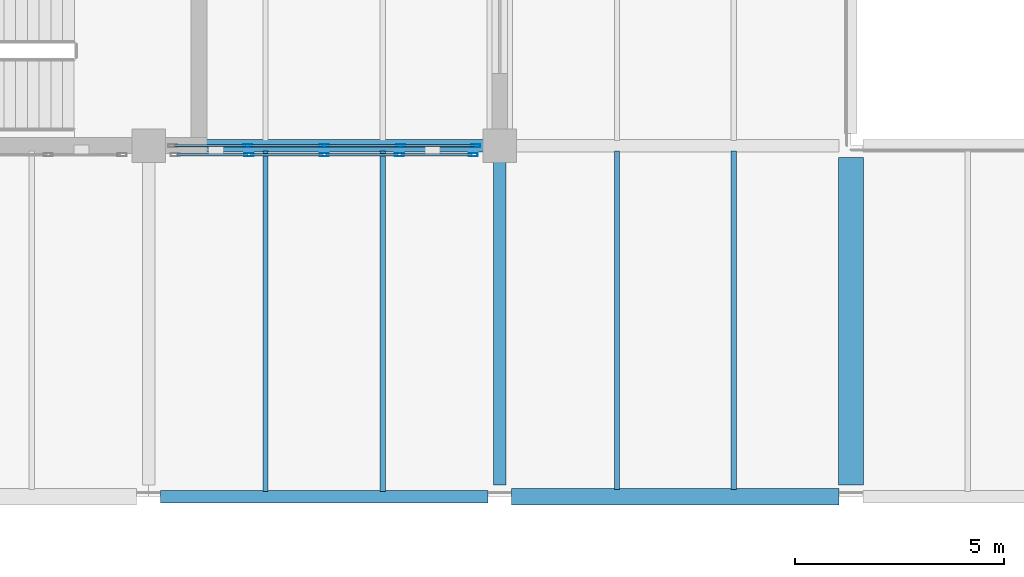
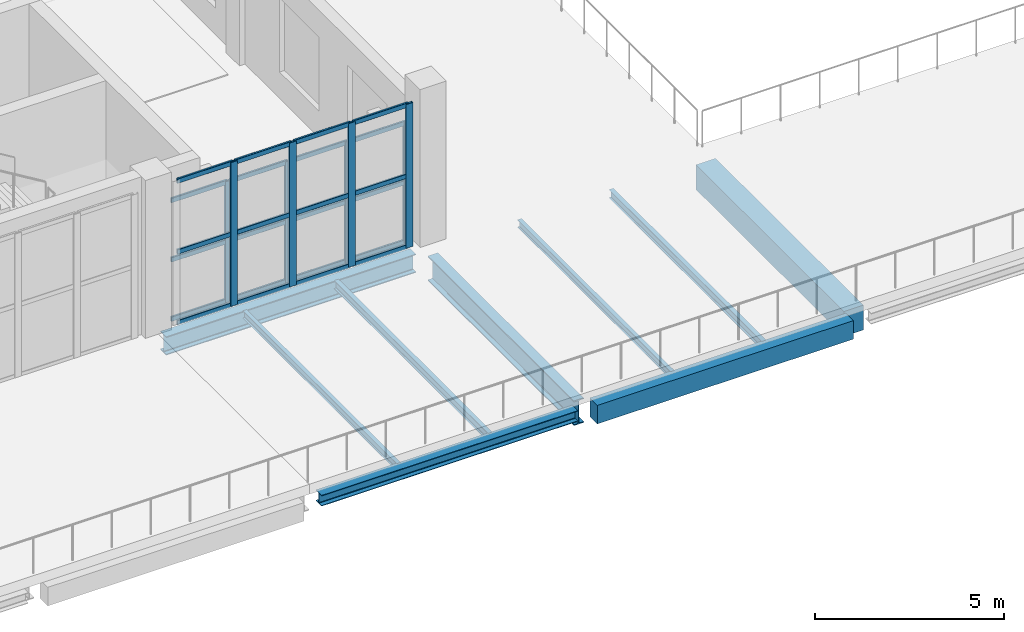
# One storey, part 20 of 77: 32 members, 9 beams, 2 elements without a shape of their own.
"""IFC4 building model written with IfcOpenShell, lengths in metres."""

from ifc_helpers import new_model, si_unit, direction, frame, origin, origin_2d, place, context, subcontext, project, spatial, rectangle, hollow_rectangle, i_section, extrude, material, layer, layer_set, material_profile, profile_set, type_object, element, aggregate, save


model = new_model("IFC4")

# Units and contexts
model_context = context("Model", 3, precision=1e-05, world=origin(), true_north=direction((0.0, 1.0)))
body_context = subcontext(model_context, "Body", "Model", "MODEL_VIEW")
ifc_project = project(units=[si_unit("LENGTHUNIT", "METRE"), si_unit("AREAUNIT", "SQUARE_METRE"), si_unit("VOLUMEUNIT", "CUBIC_METRE"), si_unit("PLANEANGLEUNIT", "RADIAN"), si_unit("MASSUNIT", "GRAM", prefix="KILO")], contexts=[model_context])

# Site, building, storey
site_placement = place(None, origin())
site = spatial("IfcSite", under=ifc_project, at=site_placement, CompositionType="ELEMENT")
building_placement = place(site_placement, origin())
building = spatial("IfcBuilding", under=site, at=building_placement, Name="Zulmaris Art Gallery", CompositionType="ELEMENT")
storey_placement = place(building_placement, frame((0.0, 0.0, 15.60009765625)))
storey = spatial("IfcBuildingStorey", under=building, at=storey_placement, Name="L03", CompositionType="ELEMENT", Elevation=15.60009765625)

# Beams
ifc_material_1 = material(Name="Steel S355J2", Category="steel")
ifc_material_profile_1 = material_profile(ifc_material_1, i_section(OverallWidth=0.300048828125, OverallDepth=0.60009765625, WebThickness=0.015380859375, FlangeThickness=0.030029296875, FilletRadius=0.027099609375, at=origin_2d()), Name="HEB 600")
ifc_profile_set_1 = profile_set([ifc_material_profile_1], Name="Steel S355J2")
beam_type_1 = type_object("IfcBeamType", Name="BEAM-BM15", PredefinedType="BEAM", material=ifc_profile_set_1)
beam_1_placement = place(storey_placement, frame((74.784912109375, 21.60009765625, -0.670166015625), z_axis=(1.0, 0.0, 0.0), x_axis=(0.0, 1.0, 0.0)))
element("IfcBeam", 1, at=beam_1_placement, inside=storey, type_object=beam_type_1, Name="L03 X-girder (74.4..82.8, y=21.6)", PredefinedType="BEAM", context=body_context, shape_type="SweptSolid", body=[
    extrude(i_section(OverallWidth=0.300048828125, OverallDepth=0.60009765625, WebThickness=0.015380859375, FlangeThickness=0.030029296875, FilletRadius=0.027099609375, at=origin_2d()), origin(), (0.0, 0.0, 1.0), 7.630126953125),
])
ifc_material_profile_2 = material_profile(ifc_material_1, i_section(OverallWidth=0.300048828125, OverallDepth=0.800048828125, WebThickness=0.017578125, FlangeThickness=0.032958984375, FilletRadius=0.030029296875, at=origin_2d()), Name="HEB 800")
ifc_profile_set_2 = profile_set([ifc_material_profile_2], Name="Steel S355J2")
beam_type_2 = type_object("IfcBeamType", Name="BEAM-BM17", PredefinedType="BEAM", material=ifc_profile_set_2)
beam_2_placement = place(storey_placement, frame((82.800048828125, 13.485107421875, -0.77001953125), z_axis=(0.0, 1.0, 0.0), x_axis=(-1.0, 0.0, 0.0)))
element("IfcBeam", 2, at=beam_2_placement, inside=storey, type_object=beam_type_2, Name="L03 Y-girder (x=82.8, 13.2..21.6)", PredefinedType="BEAM", context=body_context, shape_type="SweptSolid", body=[
    extrude(i_section(OverallWidth=0.300048828125, OverallDepth=0.800048828125, WebThickness=0.017578125, FlangeThickness=0.032958984375, FilletRadius=0.030029296875, at=origin_2d()), origin(), (0.0, 0.0, 1.0), 7.72998046875),
])
ifc_material_2 = material(Name="Concrete C40/50", Category="concrete")
ifc_material_profile_3 = material_profile(ifc_material_2, rectangle(XDim=0.60009765625, YDim=0.800048828125, at=origin_2d()), Name="RC 600x800")
ifc_profile_set_3 = profile_set([ifc_material_profile_3], Name="Concrete C40/50")
beam_type_3 = type_object("IfcBeamType", Name="BEAM-BM27", PredefinedType="BEAM", material=ifc_profile_set_3)
beam_3_placement = place(storey_placement, frame((91.199951171875, 13.485107421875, -0.77001953125), z_axis=(0.0, 1.0, 0.0), x_axis=(-1.0, 0.0, 0.0)))
element("IfcBeam", 3, at=beam_3_placement, inside=storey, type_object=beam_type_3, Name="L03 Y-girder (x=91.2, 13.2..21.6)", PredefinedType="BEAM", context=body_context, shape_type="SweptSolid", body=[
    extrude(rectangle(XDim=0.60009765625, YDim=0.800048828125, at=origin_2d()), origin(), (0.0, 0.0, 1.0), 7.829833984375),
])
ifc_material_profile_4 = material_profile(ifc_material_1, i_section(OverallWidth=0.1201171875, OverallDepth=0.239990234375, WebThickness=0.006103515625, FlangeThickness=0.009765625, FilletRadius=0.014892578125, at=origin_2d()), Name="IPE 240")
ifc_profile_set_4 = profile_set([ifc_material_profile_4], Name="Steel S355J2")
beam_type_4 = type_object("IfcBeamType", Name="BEAM-JS01", PredefinedType="JOIST", material=ifc_profile_set_4)
beam_4_placement = place(storey_placement, frame((77.199951171875, 13.324951171875, -0.489990234375), z_axis=(0.0, 1.0, 0.0), x_axis=(-1.0, 0.0, 0.0)))
element("IfcBeam", 4, at=beam_4_placement, inside=storey, type_object=beam_type_4, Name="L03 secondary joist at x=77.2", PredefinedType="JOIST", context=body_context, shape_type="SweptSolid", body=[
    extrude(i_section(OverallWidth=0.1201171875, OverallDepth=0.239990234375, WebThickness=0.006103515625, FlangeThickness=0.009765625, FilletRadius=0.014892578125, at=origin_2d()), origin(), (0.0, 0.0, 1.0), 8.150146484375),
])
beam_5_placement = place(storey_placement, frame((85.60009765625, 13.375, -0.489990234375), z_axis=(0.0, 1.0, 0.0), x_axis=(-1.0, 0.0, 0.0)))
element("IfcBeam", 5, at=beam_5_placement, inside=storey, type_object=beam_type_4, Name="L03 secondary joist at x=85.6", PredefinedType="JOIST", context=body_context, shape_type="SweptSolid", body=[
    extrude(i_section(OverallWidth=0.1201171875, OverallDepth=0.239990234375, WebThickness=0.006103515625, FlangeThickness=0.009765625, FilletRadius=0.014892578125, at=origin_2d()), origin(), (0.0, 0.0, 1.0), 8.10009765625),
])
ifc_material_profile_5 = material_profile(ifc_material_1, i_section(OverallWidth=0.135009765625, OverallDepth=0.27001953125, WebThickness=0.006591796875, FlangeThickness=0.01025390625, FilletRadius=0.014892578125, at=origin_2d()), Name="IPE 270")
ifc_profile_set_5 = profile_set([ifc_material_profile_5], Name="Steel S355J2")
beam_type_5 = type_object("IfcBeamType", Name="BEAM-JS02", PredefinedType="JOIST", material=ifc_profile_set_5)
beam_6_placement = place(storey_placement, frame((80.0, 13.324951171875, -0.505126953125), z_axis=(0.0, 1.0, 0.0), x_axis=(-1.0, 0.0, 0.0)))
element("IfcBeam", 6, at=beam_6_placement, inside=storey, type_object=beam_type_5, Name="L03 secondary joist at x=80.0", PredefinedType="JOIST", context=body_context, shape_type="SweptSolid", body=[
    extrude(i_section(OverallWidth=0.135009765625, OverallDepth=0.27001953125, WebThickness=0.006591796875, FlangeThickness=0.01025390625, FilletRadius=0.014892578125, at=origin_2d()), origin(), (0.0, 0.0, 1.0), 8.150146484375),
])
beam_7_placement = place(storey_placement, frame((88.39990234375, 13.375, -0.505126953125), z_axis=(0.0, 1.0, 0.0), x_axis=(-1.0, 0.0, 0.0)))
element("IfcBeam", 7, at=beam_7_placement, inside=storey, type_object=beam_type_5, Name="L03 secondary joist at x=88.4", PredefinedType="JOIST", context=body_context, shape_type="SweptSolid", body=[
    extrude(i_section(OverallWidth=0.135009765625, OverallDepth=0.27001953125, WebThickness=0.006591796875, FlangeThickness=0.01025390625, FilletRadius=0.014892578125, at=origin_2d()), origin(), (0.0, 0.0, 1.0), 8.10009765625),
])
ifc_material_profile_6 = material_profile(ifc_material_1, i_section(OverallWidth=0.300048828125, OverallDepth=0.35009765625, WebThickness=0.010009765625, FlangeThickness=0.017578125, FilletRadius=0.027099609375, at=origin_2d()), Name="HEA 360")
ifc_profile_set_6 = profile_set([ifc_material_profile_6], Name="Steel S355J2")
beam_type_6 = type_object("IfcBeamType", Name="BEAM-SP01", PredefinedType="SPANDREL", material=ifc_profile_set_6)
beam_8_placement = place(storey_placement, frame((74.68505859375, 13.199951171875, -0.545166015625), z_axis=(1.0, 0.0, 0.0), x_axis=(0.0, 1.0, 0.0)))
element("IfcBeam", 8, at=beam_8_placement, inside=storey, type_object=beam_type_6, Name="L03 X-girder (74.4..82.8, y=13.2)", PredefinedType="SPANDREL", context=body_context, shape_type="SweptSolid", body=[
    extrude(i_section(OverallWidth=0.300048828125, OverallDepth=0.35009765625, WebThickness=0.010009765625, FlangeThickness=0.017578125, FilletRadius=0.027099609375, at=origin_2d()), origin(), (0.0, 0.0, 1.0), 7.829833984375),
])
ifc_material_profile_7 = material_profile(ifc_material_2, rectangle(XDim=0.39990234375, YDim=0.60009765625, at=origin_2d()), Name="RC 400x600")
ifc_profile_set_7 = profile_set([ifc_material_profile_7], Name="Concrete C40/50")
beam_type_7 = type_object("IfcBeamType", Name="BEAM-SP03", PredefinedType="SPANDREL", material=ifc_profile_set_7)
beam_9_placement = place(storey_placement, frame((83.0849609375, 13.199951171875, -0.670166015625), z_axis=(1.0, 0.0, 0.0), x_axis=(0.0, 1.0, 0.0)))
element("IfcBeam", 9, at=beam_9_placement, inside=storey, type_object=beam_type_7, Name="L03 X-girder (82.8..91.2, y=13.2)", PredefinedType="SPANDREL", context=body_context, shape_type="SweptSolid", body=[
    extrude(rectangle(XDim=0.39990234375, YDim=0.60009765625, at=origin_2d()), origin(), (0.0, 0.0, 1.0), 7.830078125),
])

# Curtain wall, members
ifc_material_3 = material(Name="Unitised Low-E Gallery Curtain Wall", Category="aluminium")
ifc_layer_1 = layer(ifc_material_3, 0.179931640625)
ifc_layer_set_1 = layer_set([ifc_layer_1], Name="Unitised Low-E Gallery Curtain Wall")
curtain_wall_type_1 = type_object("IfcCurtainWallType", Name="CW-CW01", PredefinedType="NOTDEFINED", material=ifc_layer_set_1)
curtain_wall_1_placement = place(storey_placement, origin())
curtain_wall_1 = element("IfcCurtainWall", 10, at=curtain_wall_1_placement, inside=storey, type_object=curtain_wall_type_1, Name="L03 curtain wall 14", PredefinedType="NOTDEFINED")
ifc_material_4 = material(Name="Anodised Bronze Aluminium", Category="aluminium")
ifc_material_profile_8 = material_profile(ifc_material_4, hollow_rectangle(XDim=0.074951171875, YDim=0.219970703125, WallThickness=0.0048828125, InnerFilletRadius=0.007568359375, OuterFilletRadius=0.012451171875, at=origin_2d()), Name="ALU 75x220x5")
ifc_profile_set_8 = profile_set([ifc_material_profile_8], Name="Anodised Bronze Aluminium")
member_type_1 = type_object("IfcMemberType", Name="CWMUL-02", PredefinedType="MULLION", material=ifc_profile_set_8)
member_1_placement = place(storey_placement, frame((76.77001953125, 21.60009765625, 0.0), z_axis=(0.0, 0.0, 1.0), x_axis=(0.0, 1.0, 0.0)))
member_1 = element("IfcMember", 11, at=member_1_placement, type_object=member_type_1, Name="CW01 mullion 2", PredefinedType="MULLION", context=body_context, shape_type="SweptSolid", body=[
    extrude(hollow_rectangle(XDim=0.074951171875, YDim=0.219970703125, WallThickness=0.0048828125, InnerFilletRadius=0.007568359375, OuterFilletRadius=0.012451171875, at=origin_2d()), origin(), (0.0, 0.0, 1.0), 3.909912109375),
])
member_2_placement = place(storey_placement, frame((78.60009765625, 21.60009765625, 0.0), z_axis=(0.0, 0.0, 1.0), x_axis=(0.0, 1.0, 0.0)))
member_2 = element("IfcMember", 12, at=member_2_placement, type_object=member_type_1, Name="CW01 mullion 3", PredefinedType="MULLION", context=body_context, shape_type="SweptSolid", body=[
    extrude(hollow_rectangle(XDim=0.074951171875, YDim=0.219970703125, WallThickness=0.0048828125, InnerFilletRadius=0.007568359375, OuterFilletRadius=0.012451171875, at=origin_2d()), origin(), (0.0, 0.0, 1.0), 3.909912109375),
])
member_3_placement = place(storey_placement, frame((80.429931640625, 21.60009765625, 0.0), z_axis=(0.0, 0.0, 1.0), x_axis=(0.0, 1.0, 0.0)))
member_3 = element("IfcMember", 13, at=member_3_placement, type_object=member_type_1, Name="CW01 mullion 4", PredefinedType="MULLION", context=body_context, shape_type="SweptSolid", body=[
    extrude(hollow_rectangle(XDim=0.074951171875, YDim=0.219970703125, WallThickness=0.0048828125, InnerFilletRadius=0.007568359375, OuterFilletRadius=0.012451171875, at=origin_2d()), origin(), (0.0, 0.0, 1.0), 3.909912109375),
])
member_4_placement = place(storey_placement, frame((82.222412109375, 21.60009765625, 0.0), z_axis=(0.0, 0.0, 1.0), x_axis=(0.0, 1.0, 0.0)))
member_4 = element("IfcMember", 14, at=member_4_placement, type_object=member_type_1, Name="CW01 mullion 5", PredefinedType="MULLION", context=body_context, shape_type="SweptSolid", body=[
    extrude(hollow_rectangle(XDim=0.074951171875, YDim=0.219970703125, WallThickness=0.0048828125, InnerFilletRadius=0.007568359375, OuterFilletRadius=0.012451171875, at=origin_2d()), origin(), (0.0, 0.0, 1.0), 3.909912109375),
])

ifc_material_5 = material(Name="Perforated Bronze Art Deco Mashrabiya Screen", Category="aluminium")
ifc_layer_2 = layer(ifc_material_5, 0.179931640625)
ifc_layer_set_2 = layer_set([ifc_layer_2], Name="Perforated Bronze Art Deco Mashrabiya Screen")
curtain_wall_type_2 = type_object("IfcCurtainWallType", Name="CW-CW06", PredefinedType="USERDEFINED", material=ifc_layer_set_2)
curtain_wall_2_placement = place(storey_placement, origin())
curtain_wall_2 = element("IfcCurtainWall", 15, at=curtain_wall_2_placement, inside=storey, type_object=curtain_wall_type_2, Name="L03 Mashrabiya screen 177", ObjectType="MASHRABIYA SCREEN", PredefinedType="USERDEFINED")
member_5_placement = place(storey_placement, frame((76.800048828125, 21.3798828125, 0.0), z_axis=(0.0, 0.0, 1.0), x_axis=(0.0, 1.0, 0.0)))
member_5 = element("IfcMember", 16, at=member_5_placement, type_object=member_type_1, Name="CW06 mullion 2", PredefinedType="MULLION", context=body_context, shape_type="SweptSolid", body=[
    extrude(hollow_rectangle(XDim=0.074951171875, YDim=0.219970703125, WallThickness=0.0048828125, InnerFilletRadius=0.007568359375, OuterFilletRadius=0.012451171875, at=origin_2d()), origin(), (0.0, 0.0, 1.0), 4.64990234375),
])
member_6_placement = place(storey_placement, frame((78.60009765625, 21.3798828125, 0.0), z_axis=(0.0, 0.0, 1.0), x_axis=(0.0, 1.0, 0.0)))
member_6 = element("IfcMember", 17, at=member_6_placement, type_object=member_type_1, Name="CW06 mullion 3", PredefinedType="MULLION", context=body_context, shape_type="SweptSolid", body=[
    extrude(hollow_rectangle(XDim=0.074951171875, YDim=0.219970703125, WallThickness=0.0048828125, InnerFilletRadius=0.007568359375, OuterFilletRadius=0.012451171875, at=origin_2d()), origin(), (0.0, 0.0, 1.0), 4.64990234375),
])
member_7_placement = place(storey_placement, frame((80.39990234375, 21.3798828125, 0.0), z_axis=(0.0, 0.0, 1.0), x_axis=(0.0, 1.0, 0.0)))
member_7 = element("IfcMember", 18, at=member_7_placement, type_object=member_type_1, Name="CW06 mullion 4", PredefinedType="MULLION", context=body_context, shape_type="SweptSolid", body=[
    extrude(hollow_rectangle(XDim=0.074951171875, YDim=0.219970703125, WallThickness=0.0048828125, InnerFilletRadius=0.007568359375, OuterFilletRadius=0.012451171875, at=origin_2d()), origin(), (0.0, 0.0, 1.0), 4.64990234375),
])
member_8_placement = place(storey_placement, frame((82.16259765625, 21.3798828125, 0.0), z_axis=(0.0, 0.0, 1.0), x_axis=(0.0, 1.0, 0.0)))
member_8 = element("IfcMember", 19, at=member_8_placement, type_object=member_type_1, Name="CW06 mullion 5", PredefinedType="MULLION", context=body_context, shape_type="SweptSolid", body=[
    extrude(hollow_rectangle(XDim=0.074951171875, YDim=0.219970703125, WallThickness=0.0048828125, InnerFilletRadius=0.007568359375, OuterFilletRadius=0.012451171875, at=origin_2d()), origin(), (0.0, 0.0, 1.0), 4.64990234375),
])

# Member
ifc_material_profile_9 = material_profile(ifc_material_4, hollow_rectangle(XDim=0.06494140625, YDim=0.14990234375, WallThickness=0.00390625, InnerFilletRadius=0.006103515625, OuterFilletRadius=0.010009765625, at=origin_2d()), Name="ALU 65x150x4")
ifc_profile_set_9 = profile_set([ifc_material_profile_9], Name="Anodised Bronze Aluminium")
member_type_2 = type_object("IfcMemberType", Name="CWTRN-01", PredefinedType="USERDEFINED", material=ifc_profile_set_9)
member_9_placement = place(storey_placement, frame((75.014892578125, 21.60009765625, 0.037353515625), z_axis=(1.0, 0.0, 0.0), x_axis=(0.0, 1.0, 0.0)))
member_9 = element("IfcMember", 20, at=member_9_placement, type_object=member_type_2, Name="CW01 transom 1.1", ObjectType="TRANSOM", PredefinedType="USERDEFINED", context=body_context, shape_type="SweptSolid", body=[
    extrude(hollow_rectangle(XDim=0.06494140625, YDim=0.14990234375, WallThickness=0.00390625, InnerFilletRadius=0.006103515625, OuterFilletRadius=0.010009765625, at=origin_2d()), origin(), (0.0, 0.0, 1.0), 1.717529296875),
])

member_10_placement = place(storey_placement, frame((75.014892578125, 21.60009765625, 1.954833984375), z_axis=(1.0, 0.0, 0.0), x_axis=(0.0, 1.0, 0.0)))
member_10 = element("IfcMember", 21, at=member_10_placement, type_object=member_type_2, Name="CW01 transom 1.2", ObjectType="TRANSOM", PredefinedType="USERDEFINED", context=body_context, shape_type="SweptSolid", body=[
    extrude(hollow_rectangle(XDim=0.06494140625, YDim=0.14990234375, WallThickness=0.00390625, InnerFilletRadius=0.006103515625, OuterFilletRadius=0.010009765625, at=origin_2d()), origin(), (0.0, 0.0, 1.0), 1.717529296875),
])

member_11_placement = place(storey_placement, frame((75.014892578125, 21.60009765625, 3.872314453125), z_axis=(1.0, 0.0, 0.0), x_axis=(0.0, 1.0, 0.0)))
member_11 = element("IfcMember", 22, at=member_11_placement, type_object=member_type_2, Name="CW01 transom 1.3", ObjectType="TRANSOM", PredefinedType="USERDEFINED", context=body_context, shape_type="SweptSolid", body=[
    extrude(hollow_rectangle(XDim=0.06494140625, YDim=0.14990234375, WallThickness=0.00390625, InnerFilletRadius=0.006103515625, OuterFilletRadius=0.010009765625, at=origin_2d()), origin(), (0.0, 0.0, 1.0), 1.717529296875),
])

member_12_placement = place(storey_placement, frame((76.8076171875, 21.60009765625, 0.037353515625), z_axis=(1.0, 0.0, 0.0), x_axis=(0.0, 1.0, 0.0)))
member_12 = element("IfcMember", 23, at=member_12_placement, type_object=member_type_2, Name="CW01 transom 2.1", ObjectType="TRANSOM", PredefinedType="USERDEFINED", context=body_context, shape_type="SweptSolid", body=[
    extrude(hollow_rectangle(XDim=0.06494140625, YDim=0.14990234375, WallThickness=0.00390625, InnerFilletRadius=0.006103515625, OuterFilletRadius=0.010009765625, at=origin_2d()), origin(), (0.0, 0.0, 1.0), 1.7548828125),
])

member_13_placement = place(storey_placement, frame((76.8076171875, 21.60009765625, 1.954833984375), z_axis=(1.0, 0.0, 0.0), x_axis=(0.0, 1.0, 0.0)))
member_13 = element("IfcMember", 24, at=member_13_placement, type_object=member_type_2, Name="CW01 transom 2.2", ObjectType="TRANSOM", PredefinedType="USERDEFINED", context=body_context, shape_type="SweptSolid", body=[
    extrude(hollow_rectangle(XDim=0.06494140625, YDim=0.14990234375, WallThickness=0.00390625, InnerFilletRadius=0.006103515625, OuterFilletRadius=0.010009765625, at=origin_2d()), origin(), (0.0, 0.0, 1.0), 1.7548828125),
])

member_14_placement = place(storey_placement, frame((76.8076171875, 21.60009765625, 3.872314453125), z_axis=(1.0, 0.0, 0.0), x_axis=(0.0, 1.0, 0.0)))
member_14 = element("IfcMember", 25, at=member_14_placement, type_object=member_type_2, Name="CW01 transom 2.3", ObjectType="TRANSOM", PredefinedType="USERDEFINED", context=body_context, shape_type="SweptSolid", body=[
    extrude(hollow_rectangle(XDim=0.06494140625, YDim=0.14990234375, WallThickness=0.00390625, InnerFilletRadius=0.006103515625, OuterFilletRadius=0.010009765625, at=origin_2d()), origin(), (0.0, 0.0, 1.0), 1.7548828125),
])

member_15_placement = place(storey_placement, frame((78.637451171875, 21.60009765625, 0.037353515625), z_axis=(1.0, 0.0, 0.0), x_axis=(0.0, 1.0, 0.0)))
member_15 = element("IfcMember", 26, at=member_15_placement, type_object=member_type_2, Name="CW01 transom 3.1", ObjectType="TRANSOM", PredefinedType="USERDEFINED", context=body_context, shape_type="SweptSolid", body=[
    extrude(hollow_rectangle(XDim=0.06494140625, YDim=0.14990234375, WallThickness=0.00390625, InnerFilletRadius=0.006103515625, OuterFilletRadius=0.010009765625, at=origin_2d()), origin(), (0.0, 0.0, 1.0), 1.755126953125),
])

member_16_placement = place(storey_placement, frame((78.637451171875, 21.60009765625, 1.954833984375), z_axis=(1.0, 0.0, 0.0), x_axis=(0.0, 1.0, 0.0)))
member_16 = element("IfcMember", 27, at=member_16_placement, type_object=member_type_2, Name="CW01 transom 3.2", ObjectType="TRANSOM", PredefinedType="USERDEFINED", context=body_context, shape_type="SweptSolid", body=[
    extrude(hollow_rectangle(XDim=0.06494140625, YDim=0.14990234375, WallThickness=0.00390625, InnerFilletRadius=0.006103515625, OuterFilletRadius=0.010009765625, at=origin_2d()), origin(), (0.0, 0.0, 1.0), 1.755126953125),
])

member_17_placement = place(storey_placement, frame((78.637451171875, 21.60009765625, 3.872314453125), z_axis=(1.0, 0.0, 0.0), x_axis=(0.0, 1.0, 0.0)))
member_17 = element("IfcMember", 28, at=member_17_placement, type_object=member_type_2, Name="CW01 transom 3.3", ObjectType="TRANSOM", PredefinedType="USERDEFINED", context=body_context, shape_type="SweptSolid", body=[
    extrude(hollow_rectangle(XDim=0.06494140625, YDim=0.14990234375, WallThickness=0.00390625, InnerFilletRadius=0.006103515625, OuterFilletRadius=0.010009765625, at=origin_2d()), origin(), (0.0, 0.0, 1.0), 1.755126953125),
])

member_18_placement = place(storey_placement, frame((80.467529296875, 21.60009765625, 0.037353515625), z_axis=(1.0, 0.0, 0.0), x_axis=(0.0, 1.0, 0.0)))
member_18 = element("IfcMember", 29, at=member_18_placement, type_object=member_type_2, Name="CW01 transom 4.1", ObjectType="TRANSOM", PredefinedType="USERDEFINED", context=body_context, shape_type="SweptSolid", body=[
    extrude(hollow_rectangle(XDim=0.06494140625, YDim=0.14990234375, WallThickness=0.00390625, InnerFilletRadius=0.006103515625, OuterFilletRadius=0.010009765625, at=origin_2d()), origin(), (0.0, 0.0, 1.0), 1.717529296875),
])

member_19_placement = place(storey_placement, frame((80.467529296875, 21.60009765625, 1.954833984375), z_axis=(1.0, 0.0, 0.0), x_axis=(0.0, 1.0, 0.0)))
member_19 = element("IfcMember", 30, at=member_19_placement, type_object=member_type_2, Name="CW01 transom 4.2", ObjectType="TRANSOM", PredefinedType="USERDEFINED", context=body_context, shape_type="SweptSolid", body=[
    extrude(hollow_rectangle(XDim=0.06494140625, YDim=0.14990234375, WallThickness=0.00390625, InnerFilletRadius=0.006103515625, OuterFilletRadius=0.010009765625, at=origin_2d()), origin(), (0.0, 0.0, 1.0), 1.717529296875),
])

member_20_placement = place(storey_placement, frame((80.467529296875, 21.60009765625, 3.872314453125), z_axis=(1.0, 0.0, 0.0), x_axis=(0.0, 1.0, 0.0)))
member_20 = element("IfcMember", 31, at=member_20_placement, type_object=member_type_2, Name="CW01 transom 4.3", ObjectType="TRANSOM", PredefinedType="USERDEFINED", context=body_context, shape_type="SweptSolid", body=[
    extrude(hollow_rectangle(XDim=0.06494140625, YDim=0.14990234375, WallThickness=0.00390625, InnerFilletRadius=0.006103515625, OuterFilletRadius=0.010009765625, at=origin_2d()), origin(), (0.0, 0.0, 1.0), 1.717529296875),
])

aggregate(curtain_wall_1, [member_1, member_2, member_3, member_4, member_9, member_10, member_11, member_12, member_13, member_14, member_15, member_16, member_17, member_18, member_19, member_20])

member_21_placement = place(storey_placement, frame((75.074951171875, 21.3798828125, 0.037353515625), z_axis=(1.0, 0.0, 0.0), x_axis=(0.0, 1.0, 0.0)))
member_21 = element("IfcMember", 32, at=member_21_placement, type_object=member_type_2, Name="CW06 transom 1.1", ObjectType="TRANSOM", PredefinedType="USERDEFINED", context=body_context, shape_type="SweptSolid", body=[
    extrude(hollow_rectangle(XDim=0.06494140625, YDim=0.14990234375, WallThickness=0.00390625, InnerFilletRadius=0.006103515625, OuterFilletRadius=0.010009765625, at=origin_2d()), origin(), (0.0, 0.0, 1.0), 1.6875),
])

member_22_placement = place(storey_placement, frame((75.074951171875, 21.3798828125, 2.324951171875), z_axis=(1.0, 0.0, 0.0), x_axis=(0.0, 1.0, 0.0)))
member_22 = element("IfcMember", 33, at=member_22_placement, type_object=member_type_2, Name="CW06 transom 1.2", ObjectType="TRANSOM", PredefinedType="USERDEFINED", context=body_context, shape_type="SweptSolid", body=[
    extrude(hollow_rectangle(XDim=0.06494140625, YDim=0.14990234375, WallThickness=0.00390625, InnerFilletRadius=0.006103515625, OuterFilletRadius=0.010009765625, at=origin_2d()), origin(), (0.0, 0.0, 1.0), 1.6875),
])

member_23_placement = place(storey_placement, frame((75.074951171875, 21.3798828125, 4.6123046875), z_axis=(1.0, 0.0, 0.0), x_axis=(0.0, 1.0, 0.0)))
member_23 = element("IfcMember", 34, at=member_23_placement, type_object=member_type_2, Name="CW06 transom 1.3", ObjectType="TRANSOM", PredefinedType="USERDEFINED", context=body_context, shape_type="SweptSolid", body=[
    extrude(hollow_rectangle(XDim=0.06494140625, YDim=0.14990234375, WallThickness=0.00390625, InnerFilletRadius=0.006103515625, OuterFilletRadius=0.010009765625, at=origin_2d()), origin(), (0.0, 0.0, 1.0), 1.6875),
])

member_24_placement = place(storey_placement, frame((76.83740234375, 21.3798828125, 0.037353515625), z_axis=(1.0, 0.0, 0.0), x_axis=(0.0, 1.0, 0.0)))
member_24 = element("IfcMember", 35, at=member_24_placement, type_object=member_type_2, Name="CW06 transom 2.1", ObjectType="TRANSOM", PredefinedType="USERDEFINED", context=body_context, shape_type="SweptSolid", body=[
    extrude(hollow_rectangle(XDim=0.06494140625, YDim=0.14990234375, WallThickness=0.00390625, InnerFilletRadius=0.006103515625, OuterFilletRadius=0.010009765625, at=origin_2d()), origin(), (0.0, 0.0, 1.0), 1.72509765625),
])

member_25_placement = place(storey_placement, frame((76.83740234375, 21.3798828125, 2.324951171875), z_axis=(1.0, 0.0, 0.0), x_axis=(0.0, 1.0, 0.0)))
member_25 = element("IfcMember", 36, at=member_25_placement, type_object=member_type_2, Name="CW06 transom 2.2", ObjectType="TRANSOM", PredefinedType="USERDEFINED", context=body_context, shape_type="SweptSolid", body=[
    extrude(hollow_rectangle(XDim=0.06494140625, YDim=0.14990234375, WallThickness=0.00390625, InnerFilletRadius=0.006103515625, OuterFilletRadius=0.010009765625, at=origin_2d()), origin(), (0.0, 0.0, 1.0), 1.72509765625),
])

member_26_placement = place(storey_placement, frame((76.83740234375, 21.3798828125, 4.6123046875), z_axis=(1.0, 0.0, 0.0), x_axis=(0.0, 1.0, 0.0)))
member_26 = element("IfcMember", 37, at=member_26_placement, type_object=member_type_2, Name="CW06 transom 2.3", ObjectType="TRANSOM", PredefinedType="USERDEFINED", context=body_context, shape_type="SweptSolid", body=[
    extrude(hollow_rectangle(XDim=0.06494140625, YDim=0.14990234375, WallThickness=0.00390625, InnerFilletRadius=0.006103515625, OuterFilletRadius=0.010009765625, at=origin_2d()), origin(), (0.0, 0.0, 1.0), 1.72509765625),
])

member_27_placement = place(storey_placement, frame((78.637451171875, 21.3798828125, 0.037353515625), z_axis=(1.0, 0.0, 0.0), x_axis=(0.0, 1.0, 0.0)))
member_27 = element("IfcMember", 38, at=member_27_placement, type_object=member_type_2, Name="CW06 transom 3.1", ObjectType="TRANSOM", PredefinedType="USERDEFINED", context=body_context, shape_type="SweptSolid", body=[
    extrude(hollow_rectangle(XDim=0.06494140625, YDim=0.14990234375, WallThickness=0.00390625, InnerFilletRadius=0.006103515625, OuterFilletRadius=0.010009765625, at=origin_2d()), origin(), (0.0, 0.0, 1.0), 1.72509765625),
])

member_28_placement = place(storey_placement, frame((78.637451171875, 21.3798828125, 2.324951171875), z_axis=(1.0, 0.0, 0.0), x_axis=(0.0, 1.0, 0.0)))
member_28 = element("IfcMember", 39, at=member_28_placement, type_object=member_type_2, Name="CW06 transom 3.2", ObjectType="TRANSOM", PredefinedType="USERDEFINED", context=body_context, shape_type="SweptSolid", body=[
    extrude(hollow_rectangle(XDim=0.06494140625, YDim=0.14990234375, WallThickness=0.00390625, InnerFilletRadius=0.006103515625, OuterFilletRadius=0.010009765625, at=origin_2d()), origin(), (0.0, 0.0, 1.0), 1.72509765625),
])

member_29_placement = place(storey_placement, frame((78.637451171875, 21.3798828125, 4.6123046875), z_axis=(1.0, 0.0, 0.0), x_axis=(0.0, 1.0, 0.0)))
member_29 = element("IfcMember", 40, at=member_29_placement, type_object=member_type_2, Name="CW06 transom 3.3", ObjectType="TRANSOM", PredefinedType="USERDEFINED", context=body_context, shape_type="SweptSolid", body=[
    extrude(hollow_rectangle(XDim=0.06494140625, YDim=0.14990234375, WallThickness=0.00390625, InnerFilletRadius=0.006103515625, OuterFilletRadius=0.010009765625, at=origin_2d()), origin(), (0.0, 0.0, 1.0), 1.72509765625),
])

member_30_placement = place(storey_placement, frame((80.4375, 21.3798828125, 0.037353515625), z_axis=(1.0, 0.0, 0.0), x_axis=(0.0, 1.0, 0.0)))
member_30 = element("IfcMember", 41, at=member_30_placement, type_object=member_type_2, Name="CW06 transom 4.1", ObjectType="TRANSOM", PredefinedType="USERDEFINED", context=body_context, shape_type="SweptSolid", body=[
    extrude(hollow_rectangle(XDim=0.06494140625, YDim=0.14990234375, WallThickness=0.00390625, InnerFilletRadius=0.006103515625, OuterFilletRadius=0.010009765625, at=origin_2d()), origin(), (0.0, 0.0, 1.0), 1.6875),
])

member_31_placement = place(storey_placement, frame((80.4375, 21.3798828125, 2.324951171875), z_axis=(1.0, 0.0, 0.0), x_axis=(0.0, 1.0, 0.0)))
member_31 = element("IfcMember", 42, at=member_31_placement, type_object=member_type_2, Name="CW06 transom 4.2", ObjectType="TRANSOM", PredefinedType="USERDEFINED", context=body_context, shape_type="SweptSolid", body=[
    extrude(hollow_rectangle(XDim=0.06494140625, YDim=0.14990234375, WallThickness=0.00390625, InnerFilletRadius=0.006103515625, OuterFilletRadius=0.010009765625, at=origin_2d()), origin(), (0.0, 0.0, 1.0), 1.6875),
])

member_32_placement = place(storey_placement, frame((80.4375, 21.3798828125, 4.6123046875), z_axis=(1.0, 0.0, 0.0), x_axis=(0.0, 1.0, 0.0)))
member_32 = element("IfcMember", 43, at=member_32_placement, type_object=member_type_2, Name="CW06 transom 4.3", ObjectType="TRANSOM", PredefinedType="USERDEFINED", context=body_context, shape_type="SweptSolid", body=[
    extrude(hollow_rectangle(XDim=0.06494140625, YDim=0.14990234375, WallThickness=0.00390625, InnerFilletRadius=0.006103515625, OuterFilletRadius=0.010009765625, at=origin_2d()), origin(), (0.0, 0.0, 1.0), 1.6875),
])

aggregate(curtain_wall_2, [member_5, member_6, member_7, member_8, member_21, member_22, member_23, member_24, member_25, member_26, member_27, member_28, member_29, member_30, member_31, member_32])

save(model, "model.ifc")
